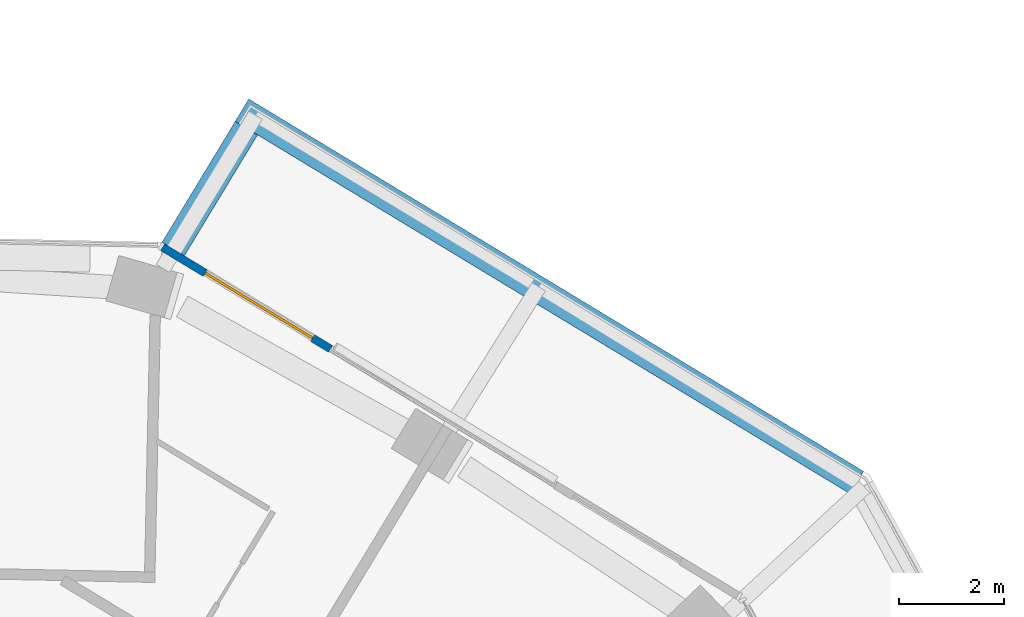
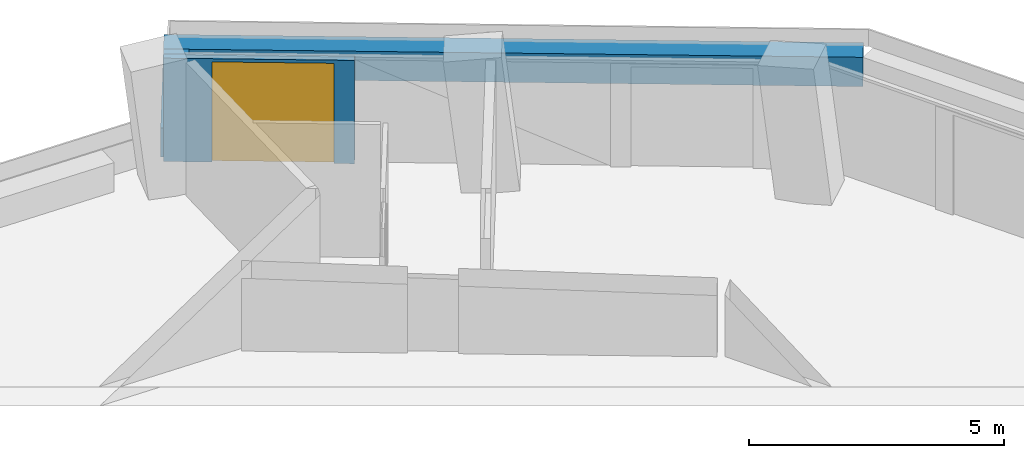
# One storey, part 19 of 22: 3 walls, 1 door, 1 opening.
"""IFC4 building model written with IfcOpenShell, lengths in metres."""

from ifc_helpers import new_model, si_unit, direction, frame, frame_2d, origin, place, context, subcontext, project, spatial, rectangle, extrude, material, layer, layer_set, type_object, element, fill, save


model = new_model("IFC4")

# Units and contexts
model_context = context("Model", 3, precision=1e-05, world=origin(), true_north=direction((0.0, 1.0)))
body_context = subcontext(model_context, "Body", "Model", "MODEL_VIEW")
ifc_project = project(units=[si_unit("LENGTHUNIT", "METRE"), si_unit("AREAUNIT", "SQUARE_METRE"), si_unit("VOLUMEUNIT", "CUBIC_METRE"), si_unit("PLANEANGLEUNIT", "RADIAN"), si_unit("MASSUNIT", "GRAM", prefix="KILO")], contexts=[model_context])

# Site, building, storey
site_placement = place(None, origin())
site = spatial("IfcSite", under=ifc_project, at=site_placement, CompositionType="ELEMENT")
building_placement = place(site_placement, origin())
building = spatial("IfcBuilding", under=site, at=building_placement, Name="Verdalira Terraces Hotel", CompositionType="ELEMENT")
storey_placement = place(building_placement, frame((0.0, 0.0, 150.5)))
storey = spatial("IfcBuildingStorey", under=building, at=storey_placement, Name="L36", CompositionType="ELEMENT", Elevation=150.5)

# Walls
ifc_material_1 = material(Name="Concrete C40", Category="concrete")
ifc_layer_1 = layer(ifc_material_1, 0.5)
ifc_layer_set_1 = layer_set([ifc_layer_1], Name="Balcony planter trough with tree")
wall_type_1 = type_object("IfcWallType", Name="Balcony planter trough with tree", PredefinedType="SOLIDWALL", material=ifc_layer_set_1)
wall_1_placement = place(storey_placement, frame((20.273438, 19.531006, 0.0), z_axis=(0.0, 0.0, 1.0), x_axis=(-0.855368156, 0.518020576, 0.0)))
element("IfcWall", 1, at=wall_1_placement, inside=storey, type_object=wall_type_1, Name="Balcony planter", PredefinedType="SOLIDWALL", context=body_context, shape_type="SweptSolid", body=[
    extrude(rectangle(XDim=13.723633, YDim=0.5, at=frame_2d((6.861816, 0.0))), origin(), (0.0, 0.0, 1.0), 0.699951),
])
wall_2_placement = place(storey_placement, frame((8.619141, 26.296875, 0.0), z_axis=(0.0, 0.0, 1.0), x_axis=(-0.518043081, -0.855354527, 0.0)))
element("IfcWall", 2, at=wall_2_placement, inside=storey, type_object=wall_type_1, Name="Balcony planter", PredefinedType="SOLIDWALL", context=body_context, shape_type="SweptSolid", body=[
    extrude(rectangle(XDim=2.698975, YDim=0.5, at=frame_2d((1.349609, 0.0))), origin(), (0.0, 0.0, 1.0), 0.699951),
])

# Wall, opening, door
ifc_material_2 = material(Name="Terracotta cladding", Category="masonry")
ifc_layer_2 = layer(ifc_material_2, 0.14990234375)
ifc_layer_set_2 = layer_set([ifc_layer_2], Name="Terracotta door pier 150")
wall_type_2 = type_object("IfcWallType", Name="Terracotta door pier 150", PredefinedType="SOLIDWALL", material=ifc_layer_set_2)
wall_3_placement = place(storey_placement, frame((10.227051, 22.078857, 0.0), z_axis=(0.0, 0.0, 1.0), x_axis=(-0.85536042, 0.51803335, 0.0)))
wall_3 = element("IfcWall", 3, at=wall_3_placement, inside=storey, type_object=wall_type_2, Name="Terracotta door pier", PredefinedType="SOLIDWALL", context=body_context, shape_type="SweptSolid", body=[
    extrude(rectangle(XDim=3.750488, YDim=0.149902, at=frame_2d((1.875244, 0.0))), origin(), (0.0, 0.0, 1.0), 2.475098),
])
opening_placement = place(wall_3_placement, frame((0.399902, 0.0, 0.0)))
opening = element("IfcOpeningElement", 4, at=opening_placement, cuts=wall_3, Name="Opening L36-B14", PredefinedType="OPENING", context=body_context, shape_type="SweptSolid", body=[
    extrude(rectangle(XDim=2.399902, YDim=2.399902, at=frame_2d((1.199951, 1.199951))), frame((0.0, 0.084961, 0.0), z_axis=(0.0, -1.0, 0.0), x_axis=(1.0, 0.0, 0.0)), (0.0, 0.0, 1.0), 0.169922),
])
ifc_material_3 = material(Name="Clear glass", Category="glass")
door_type = type_object("IfcDoorType", Name="Balcony sliding door 2400x2400", OperationType="NOTDEFINED", PredefinedType="DOOR", material=ifc_material_3)
door_placement = place(opening_placement, origin())
door = element("IfcDoor", 5, at=door_placement, inside=storey, type_object=door_type, Name="Balcony sliding door", OperationType="SLIDING_TO_RIGHT", OverallHeight=2.39990234375, OverallWidth=2.39990234375, PredefinedType="DOOR", context=body_context, shape_type="SweptSolid", body=[
    extrude(rectangle(XDim=2.399902, YDim=2.399902, at=frame_2d((1.199951, 1.199951))), frame((0.0, 0.024902, 0.0), z_axis=(0.0, -1.0, 0.0), x_axis=(1.0, 0.0, 0.0)), (0.0, 0.0, 1.0), 0.050049),
])
fill(opening, door)

save(model, "model.ifc")
